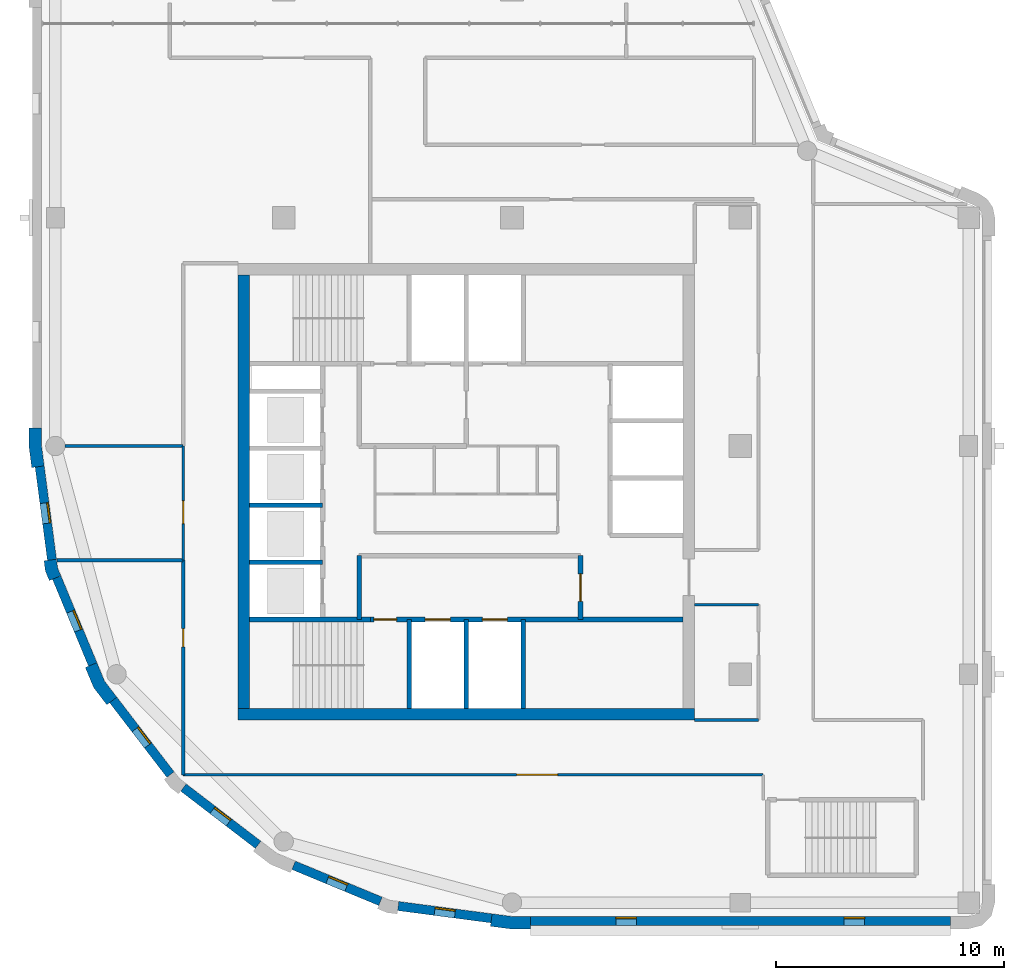
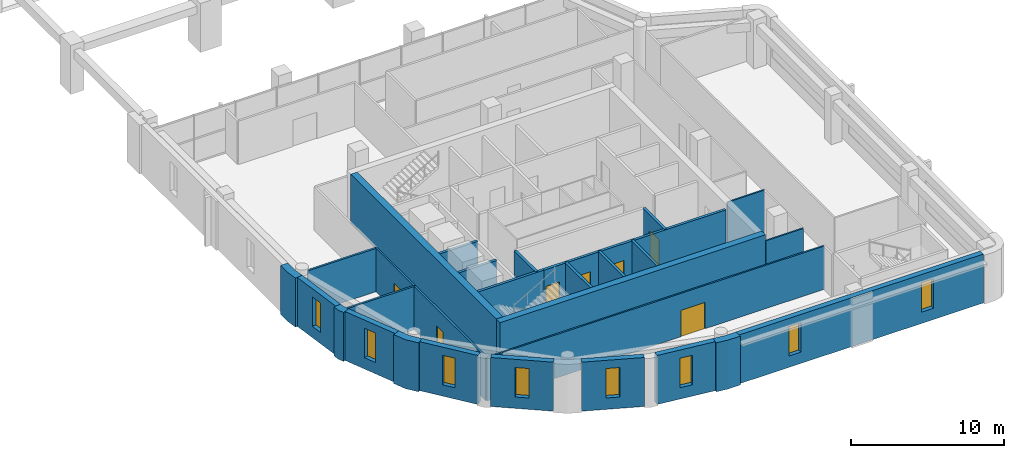
# One storey, part 5 of 11: 29 walls, 8 windows, 7 doors, 15 openings.
"""IFC4 building model written with IfcOpenShell, lengths in metres."""

from ifc_helpers import new_model, si_unit, direction, frame, frame_2d, origin, place, context, subcontext, project, spatial, polyline, rectangle, outline, extrude, material, layer, layer_set, type_object, element, fill, save


model = new_model("IFC4")

# Units and contexts
model_context = context("Model", 3, precision=1e-05, world=origin(), true_north=direction((0.0, 1.0)))
body_context = subcontext(model_context, "Body", "Model", "MODEL_VIEW")
ifc_project = project(units=[si_unit("LENGTHUNIT", "METRE"), si_unit("AREAUNIT", "SQUARE_METRE"), si_unit("VOLUMEUNIT", "CUBIC_METRE"), si_unit("PLANEANGLEUNIT", "RADIAN"), si_unit("MASSUNIT", "GRAM", prefix="KILO")], contexts=[model_context])

# Site, building, storey
site_placement = place(None, origin())
site = spatial("IfcSite", under=ifc_project, at=site_placement, CompositionType="ELEMENT")
building_placement = place(site_placement, origin())
building = spatial("IfcBuilding", under=site, at=building_placement, Name="Qaws Garden Tower", CompositionType="ELEMENT")
storey_placement = place(building_placement, frame((0.0, 0.0, 329.39990234375)))
storey = spatial("IfcBuildingStorey", under=building, at=storey_placement, Name="L80", CompositionType="ELEMENT", Elevation=329.39990234375)

# Wall, openings, windows
ifc_material_1 = material(Name="Clay facing brick masonry", Category="masonry")
ifc_layer_1 = layer(ifc_material_1, 0.39990234375)
ifc_layer_set_1 = layer_set([ifc_layer_1], Name="Clay facing brick masonry")
wall_type_1 = type_object("IfcWallType", Name="Brick infill wall 400", PredefinedType="SOLIDWALL", material=ifc_layer_set_1)
wall_1_placement = place(storey_placement, frame((20.800048828125, -0.800048828125, 0.0), z_axis=(0.0, 0.0, 1.0), x_axis=(1.0, 0.0, 0.0)))
wall_1 = element("IfcWall", 1, at=wall_1_placement, inside=storey, type_object=wall_type_1, Name="E-L80-infill-00", PredefinedType="SOLIDWALL", context=body_context, shape_type="SweptSolid", body=[
    extrude(rectangle(XDim=18.39990234375, YDim=0.39990234375, at=frame_2d((9.199951171875, 0.0))), origin(), (0.0, 0.0, 1.0), 3.900146484375),
])
opening_1_placement = place(wall_1_placement, frame((3.75, 0.0, 0.89990234375)))
opening_1 = element("IfcOpeningElement", 2, at=opening_1_placement, cuts=wall_1, Name="Opening W09", PredefinedType="OPENING", context=body_context, shape_type="SweptSolid", body=[
    extrude(rectangle(XDim=0.89990234375, YDim=2.35009765625, at=frame_2d((0.449951171875, 1.175048828125))), frame((0.0, 0.2099609375, 0.0), z_axis=(0.0, -1.0, 0.0), x_axis=(1.0, 0.0, 0.0)), (0.0, 0.0, 1.0), 0.419921875),
])
opening_2_placement = place(wall_1_placement, frame((13.75, 0.0, 0.89990234375)))
opening_2 = element("IfcOpeningElement", 3, at=opening_2_placement, cuts=wall_1, Name="Opening W09", PredefinedType="OPENING", context=body_context, shape_type="SweptSolid", body=[
    extrude(rectangle(XDim=0.89990234375, YDim=2.35009765625, at=frame_2d((0.449951171875, 1.175048828125))), frame((0.0, 0.2099609375, 0.0), z_axis=(0.0, -1.0, 0.0), x_axis=(1.0, 0.0, 0.0)), (0.0, 0.0, 1.0), 0.419921875),
])
ifc_material_2 = material(Name="Aluminium framed window, clear glazing", Category="aluminium")
window_type = type_object("IfcWindowType", Name="Slit window 900 x 2350", PartitioningType="SINGLE_PANEL", PredefinedType="WINDOW", material=ifc_material_2)
window_1_placement = place(opening_1_placement, origin())
window_1 = element("IfcWindow", 4, at=window_1_placement, inside=storey, type_object=window_type, Name="E-L80-window-00-0", OverallHeight=2.35009765625, OverallWidth=0.89990234375, PartitioningType="SINGLE_PANEL", PredefinedType="WINDOW", context=body_context, shape_type="SweptSolid", body=[
    extrude(rectangle(XDim=0.89990234375, YDim=2.35009765625, at=frame_2d((0.449951171875, 1.175048828125))), frame((0.0, 0.159912109375, 0.0), z_axis=(0.0, -1.0, 0.0), x_axis=(1.0, 0.0, 0.0)), (0.0, 0.0, 1.0), 0.06005859375),
])
fill(opening_1, window_1)
window_2_placement = place(opening_2_placement, origin())
window_2 = element("IfcWindow", 5, at=window_2_placement, inside=storey, type_object=window_type, Name="E-L80-window-01-0", OverallHeight=2.35009765625, OverallWidth=0.89990234375, PartitioningType="SINGLE_PANEL", PredefinedType="WINDOW", context=body_context, shape_type="SweptSolid", body=[
    extrude(rectangle(XDim=0.89990234375, YDim=2.35009765625, at=frame_2d((0.449951171875, 1.175048828125))), frame((0.0, 0.159912109375, 0.0), z_axis=(0.0, -1.0, 0.0), x_axis=(1.0, 0.0, 0.0)), (0.0, 0.0, 1.0), 0.06005859375),
])
fill(opening_2, window_2)

# Wall, opening, window
wall_2_placement = place(storey_placement, frame((-0.688720703125, 19.102294921875, 0.0), z_axis=(0.0, 0.0, 1.0), x_axis=(0.130514280502, -0.991446429508, 0.0)))
wall_2 = element("IfcWall", 6, at=wall_2_placement, inside=storey, type_object=wall_type_1, Name="E-L80-infill-21", PredefinedType="SOLIDWALL", context=body_context, shape_type="SweptSolid", body=[
    extrude(rectangle(XDim=4.120849609375, YDim=0.39990234375, at=frame_2d((2.060546875, 0.0))), origin(), (0.0, 0.0, 1.0), 3.900146484375),
])
opening_3_placement = place(wall_2_placement, frame((1.610595703125, 0.0, 0.89990234375)))
opening_3 = element("IfcOpeningElement", 7, at=opening_3_placement, cuts=wall_2, Name="Opening W09", PredefinedType="OPENING", context=body_context, shape_type="SweptSolid", body=[
    extrude(rectangle(XDim=0.89990234375, YDim=2.35009765625, at=frame_2d((0.449951171875, 1.175048828125))), frame((0.0, 0.2099609375, 0.0), z_axis=(0.0, -1.0, 0.0), x_axis=(1.0, 0.0, 0.0)), (0.0, 0.0, 1.0), 0.419921875),
])
window_3_placement = place(opening_3_placement, origin())
window_3 = element("IfcWindow", 8, at=window_3_placement, inside=storey, type_object=window_type, Name="E-L80-window-21-0", OverallHeight=2.35009765625, OverallWidth=0.89990234375, PartitioningType="SINGLE_PANEL", PredefinedType="WINDOW", context=body_context, shape_type="SweptSolid", body=[
    extrude(rectangle(XDim=0.89990234375, YDim=2.35009765625, at=frame_2d((0.449951171875, 1.175048828125))), frame((0.0, 0.159912109375, 0.0), z_axis=(0.0, -1.0, 0.0), x_axis=(1.0, 0.0, 0.0)), (0.0, 0.0, 1.0), 0.06005859375),
])
fill(opening_3, window_3)

wall_3_placement = place(storey_placement, frame((0.05712890625, 14.240234375, 0.0), z_axis=(0.0, 0.0, 1.0), x_axis=(0.382721546029, -0.923863744394, 0.0)))
wall_3 = element("IfcWall", 9, at=wall_3_placement, inside=storey, type_object=wall_type_1, Name="E-L80-infill-22", PredefinedType="SOLIDWALL", context=body_context, shape_type="SweptSolid", body=[
    extrude(rectangle(XDim=4.120849609375, YDim=0.39990234375, at=frame_2d((2.060546875, 0.0))), origin(), (0.0, 0.0, 1.0), 3.900146484375),
])
opening_4_placement = place(wall_3_placement, frame((1.610595703125, 0.0, 0.89990234375)))
opening_4 = element("IfcOpeningElement", 10, at=opening_4_placement, cuts=wall_3, Name="Opening W09", PredefinedType="OPENING", context=body_context, shape_type="SweptSolid", body=[
    extrude(rectangle(XDim=0.89990234375, YDim=2.35009765625, at=frame_2d((0.449951171875, 1.175048828125))), frame((0.0, 0.2099609375, 0.0), z_axis=(0.0, -1.0, 0.0), x_axis=(1.0, 0.0, 0.0)), (0.0, 0.0, 1.0), 0.419921875),
])
window_4_placement = place(opening_4_placement, origin())
window_4 = element("IfcWindow", 11, at=window_4_placement, inside=storey, type_object=window_type, Name="E-L80-window-22-0", OverallHeight=2.35009765625, OverallWidth=0.89990234375, PartitioningType="SINGLE_PANEL", PredefinedType="WINDOW", context=body_context, shape_type="SweptSolid", body=[
    extrude(rectangle(XDim=0.89990234375, YDim=2.35009765625, at=frame_2d((0.449951171875, 1.175048828125))), frame((0.0, 0.159912109375, 0.0), z_axis=(0.0, -1.0, 0.0), x_axis=(1.0, 0.0, 0.0)), (0.0, 0.0, 1.0), 0.06005859375),
])
fill(opening_4, window_4)

wall_4_placement = place(storey_placement, frame((2.53173828125, 8.87841796875, 0.0), z_axis=(0.0, 0.0, 1.0), x_axis=(0.608759824817, -0.793354571229, 0.0)))
wall_4 = element("IfcWall", 12, at=wall_4_placement, inside=storey, type_object=wall_type_1, Name="E-L80-infill-23", PredefinedType="SOLIDWALL", context=body_context, shape_type="SweptSolid", body=[
    extrude(rectangle(XDim=4.12109375, YDim=0.39990234375, at=frame_2d((2.060546875, 0.0))), origin(), (0.0, 0.0, 1.0), 3.900146484375),
])
opening_5_placement = place(wall_4_placement, frame((1.610595703125, 0.0, 0.89990234375)))
opening_5 = element("IfcOpeningElement", 13, at=opening_5_placement, cuts=wall_4, Name="Opening W09", PredefinedType="OPENING", context=body_context, shape_type="SweptSolid", body=[
    extrude(rectangle(XDim=0.89990234375, YDim=2.35009765625, at=frame_2d((0.449951171875, 1.175048828125))), frame((0.0, 0.2099609375, 0.0), z_axis=(0.0, -1.0, 0.0), x_axis=(1.0, 0.0, 0.0)), (0.0, 0.0, 1.0), 0.419921875),
])
window_5_placement = place(opening_5_placement, origin())
window_5 = element("IfcWindow", 14, at=window_5_placement, inside=storey, type_object=window_type, Name="E-L80-window-23-0", OverallHeight=2.35009765625, OverallWidth=0.89990234375, PartitioningType="SINGLE_PANEL", PredefinedType="WINDOW", context=body_context, shape_type="SweptSolid", body=[
    extrude(rectangle(XDim=0.89990234375, YDim=2.35009765625, at=frame_2d((0.449951171875, 1.175048828125))), frame((0.0, 0.159912109375, 0.0), z_axis=(0.0, -1.0, 0.0), x_axis=(1.0, 0.0, 0.0)), (0.0, 0.0, 1.0), 0.06005859375),
])
fill(opening_5, window_5)

wall_5_placement = place(storey_placement, frame((5.60888671875, 5.04052734375, 0.0), z_axis=(0.0, 0.0, 1.0), x_axis=(0.793354571229, -0.608759824817, 0.0)))
wall_5 = element("IfcWall", 15, at=wall_5_placement, inside=storey, type_object=wall_type_1, Name="E-L80-infill-24", PredefinedType="SOLIDWALL", context=body_context, shape_type="SweptSolid", body=[
    extrude(rectangle(XDim=4.12109375, YDim=0.39990234375, at=frame_2d((2.060546875, 0.0))), origin(), (0.0, 0.0, 1.0), 3.900146484375),
])
opening_6_placement = place(wall_5_placement, frame((1.610595703125, 0.0, 0.89990234375)))
opening_6 = element("IfcOpeningElement", 16, at=opening_6_placement, cuts=wall_5, Name="Opening W09", PredefinedType="OPENING", context=body_context, shape_type="SweptSolid", body=[
    extrude(rectangle(XDim=0.89990234375, YDim=2.35009765625, at=frame_2d((0.449951171875, 1.175048828125))), frame((0.0, 0.2099609375, 0.0), z_axis=(0.0, -1.0, 0.0), x_axis=(1.0, 0.0, 0.0)), (0.0, 0.0, 1.0), 0.419921875),
])
window_6_placement = place(opening_6_placement, origin())
window_6 = element("IfcWindow", 17, at=window_6_placement, inside=storey, type_object=window_type, Name="E-L80-window-24-0", OverallHeight=2.35009765625, OverallWidth=0.89990234375, PartitioningType="SINGLE_PANEL", PredefinedType="WINDOW", context=body_context, shape_type="SweptSolid", body=[
    extrude(rectangle(XDim=0.89990234375, YDim=2.35009765625, at=frame_2d((0.449951171875, 1.175048828125))), frame((0.0, 0.159912109375, 0.0), z_axis=(0.0, -1.0, 0.0), x_axis=(1.0, 0.0, 0.0)), (0.0, 0.0, 1.0), 0.06005859375),
])
fill(opening_6, window_6)

wall_6_placement = place(storey_placement, frame((10.43310546875, 1.63427734375, 0.0), z_axis=(0.0, 0.0, 1.0), x_axis=(0.923863744394, -0.382721546029, 0.0)))
wall_6 = element("IfcWall", 18, at=wall_6_placement, inside=storey, type_object=wall_type_1, Name="E-L80-infill-25", PredefinedType="SOLIDWALL", context=body_context, shape_type="SweptSolid", body=[
    extrude(rectangle(XDim=4.120849609375, YDim=0.39990234375, at=frame_2d((2.060546875, 0.0))), origin(), (0.0, 0.0, 1.0), 3.900146484375),
])
opening_7_placement = place(wall_6_placement, frame((1.610595703125, 0.0, 0.89990234375)))
opening_7 = element("IfcOpeningElement", 19, at=opening_7_placement, cuts=wall_6, Name="Opening W09", PredefinedType="OPENING", context=body_context, shape_type="SweptSolid", body=[
    extrude(rectangle(XDim=0.89990234375, YDim=2.35009765625, at=frame_2d((0.449951171875, 1.175048828125))), frame((0.0, 0.2099609375, 0.0), z_axis=(0.0, -1.0, 0.0), x_axis=(1.0, 0.0, 0.0)), (0.0, 0.0, 1.0), 0.419921875),
])
window_7_placement = place(opening_7_placement, origin())
window_7 = element("IfcWindow", 20, at=window_7_placement, inside=storey, type_object=window_type, Name="E-L80-window-25-0", OverallHeight=2.35009765625, OverallWidth=0.89990234375, PartitioningType="SINGLE_PANEL", PredefinedType="WINDOW", context=body_context, shape_type="SweptSolid", body=[
    extrude(rectangle(XDim=0.89990234375, YDim=2.35009765625, at=frame_2d((0.449951171875, 1.175048828125))), frame((0.0, 0.159912109375, 0.0), z_axis=(0.0, -1.0, 0.0), x_axis=(1.0, 0.0, 0.0)), (0.0, 0.0, 1.0), 0.06005859375),
])
fill(opening_7, window_7)

wall_7_placement = place(storey_placement, frame((15.0166015625, -0.15087890625, 0.0), z_axis=(0.0, 0.0, 1.0), x_axis=(0.991446429508, -0.130514280502, 0.0)))
wall_7 = element("IfcWall", 21, at=wall_7_placement, inside=storey, type_object=wall_type_1, Name="E-L80-infill-26", PredefinedType="SOLIDWALL", context=body_context, shape_type="SweptSolid", body=[
    extrude(rectangle(XDim=4.120849609375, YDim=0.39990234375, at=frame_2d((2.060546875, 0.0))), origin(), (0.0, 0.0, 1.0), 3.900146484375),
])
opening_8_placement = place(wall_7_placement, frame((1.610595703125, 0.0, 0.89990234375)))
opening_8 = element("IfcOpeningElement", 22, at=opening_8_placement, cuts=wall_7, Name="Opening W09", PredefinedType="OPENING", context=body_context, shape_type="SweptSolid", body=[
    extrude(rectangle(XDim=0.89990234375, YDim=2.35009765625, at=frame_2d((0.449951171875, 1.175048828125))), frame((0.0, 0.2099609375, 0.0), z_axis=(0.0, -1.0, 0.0), x_axis=(1.0, 0.0, 0.0)), (0.0, 0.0, 1.0), 0.419921875),
])
window_8_placement = place(opening_8_placement, origin())
window_8 = element("IfcWindow", 23, at=window_8_placement, inside=storey, type_object=window_type, Name="E-L80-window-26-0", OverallHeight=2.35009765625, OverallWidth=0.89990234375, PartitioningType="SINGLE_PANEL", PredefinedType="WINDOW", context=body_context, shape_type="SweptSolid", body=[
    extrude(rectangle(XDim=0.89990234375, YDim=2.35009765625, at=frame_2d((0.449951171875, 1.175048828125))), frame((0.0, 0.159912109375, 0.0), z_axis=(0.0, -1.0, 0.0), x_axis=(1.0, 0.0, 0.0)), (0.0, 0.0, 1.0), 0.06005859375),
])
fill(opening_8, window_8)

# Walls
ifc_material_3 = material(Name="Clay facing brick masonry", Category="masonry")
ifc_layer_2 = layer(ifc_material_3, 0.550048828125)
ifc_layer_set_2 = layer_set([ifc_layer_2], Name="Clay facing brick masonry")
wall_type_2 = type_object("IfcWallType", Name="Brick kink pier 550 x 600", PredefinedType="SOLIDWALL", material=ifc_layer_set_2)
placement = place(storey_placement, origin())
element("IfcWall", 24, at=placement, inside=storey, type_object=wall_type_2, Name="E-L80-pier-22", PredefinedType="SOLIDWALL", context=body_context, shape_type="SweptSolid", body=[
    extrude(outline(polyline([(-0.34912109375, 14.990478515625), (-0.497802734375, 14.970947265625), (-0.43896484375, 14.5234375), (-0.26611328125, 14.1064453125), (-0.127685546875, 14.163818359375), (0.241943359375, 14.31689453125), (0.096923828125, 14.6669921875), (0.04736328125, 15.042724609375), (-0.34912109375, 14.990478515625)])), origin(), (0.0, 0.0, 1.0), 3.900146484375),
])
ifc_material_4 = material(Name="Clay facing brick masonry", Category="masonry")
ifc_layer_3 = layer(ifc_material_4, 0.550048828125)
ifc_layer_set_3 = layer_set([ifc_layer_3], Name="Clay facing brick masonry")
wall_type_3 = type_object("IfcWallType", Name="Brick pier 550 x 1600", PredefinedType="SOLIDWALL", material=ifc_layer_set_3)
element("IfcWall", 25, at=placement, inside=storey, type_object=wall_type_3, Name="E-L80-pier-00", PredefinedType="SOLIDWALL", context=body_context, shape_type="SweptSolid", body=[
    extrude(outline(polyline([(19.076416015625, -0.886962890625), (19.056640625, -1.03564453125), (19.924560546875, -1.14990234375), (20.800048828125, -1.14990234375), (20.800048828125, -1.0), (20.800048828125, -0.60009765625), (19.960693359375, -0.60009765625), (19.12841796875, -0.490478515625), (19.076416015625, -0.886962890625)])), origin(), (0.0, 0.0, 1.0), 3.900146484375),
])
element("IfcWall", 26, at=placement, inside=storey, type_object=wall_type_3, Name="E-L80-pier-21", PredefinedType="SOLIDWALL", context=body_context, shape_type="SweptSolid", body=[
    extrude(outline(polyline([(-1.0, 20.800048828125), (-1.14990234375, 20.800048828125), (-1.14990234375, 19.924560546875), (-1.03564453125, 19.056640625), (-0.886962890625, 19.076416015625), (-0.490478515625, 19.12841796875), (-0.60009765625, 19.960693359375), (-0.60009765625, 20.800048828125), (-1.0, 20.800048828125)])), origin(), (0.0, 0.0, 1.0), 3.900146484375),
])
element("IfcWall", 27, at=placement, inside=storey, type_object=wall_type_3, Name="E-L80-pier-23", PredefinedType="SOLIDWALL", context=body_context, shape_type="SweptSolid", body=[
    extrude(outline(polyline([(1.449462890625, 10.3564453125), (1.310791015625, 10.299072265625), (1.675048828125, 9.419921875), (2.254150390625, 8.665283203125), (2.373046875, 8.756591796875), (2.6904296875, 9.0), (2.1552734375, 9.697509765625), (1.819091796875, 10.509521484375), (1.449462890625, 10.3564453125)])), origin(), (0.0, 0.0, 1.0), 3.900146484375),
])
ifc_material_5 = material(Name="Concrete C60", Category="concrete")
ifc_layer_4 = layer(ifc_material_5, 0.199951171875)
ifc_layer_set_4 = layer_set([ifc_layer_4], Name="Concrete C60")
wall_type_4 = type_object("IfcWallType", Name="Core shaft wall 200 C60", PredefinedType="SHEAR", material=ifc_layer_set_4)
wall_12_placement = place(storey_placement, frame((8.5, 12.39990234375, 0.0), z_axis=(0.0, 0.0, 1.0), x_axis=(1.0, 0.0, 0.0)))
element("IfcWall", 28, at=wall_12_placement, inside=storey, type_object=wall_type_4, Name="Shaft wall", PredefinedType="SHEAR", context=body_context, shape_type="SweptSolid", body=[
    extrude(rectangle(XDim=5.300048828125, YDim=0.199951171875, at=frame_2d((2.64990234375, 0.0))), origin(), (0.0, 0.0, 1.0), 3.4501953125),
])

# Wall, openings, doors
wall_13_placement = place(storey_placement, frame((13.800048828125, 12.39990234375, 0.0), z_axis=(0.0, 0.0, 1.0), x_axis=(1.0, 0.0, 0.0)))
wall_13 = element("IfcWall", 29, at=wall_13_placement, inside=storey, type_object=wall_type_4, Name="Shaft wall", PredefinedType="SHEAR", context=body_context, shape_type="SweptSolid", body=[
    extrude(rectangle(XDim=13.699951171875, YDim=0.199951171875, at=frame_2d((6.85009765625, 0.0))), origin(), (0.0, 0.0, 1.0), 3.4501953125),
])
opening_9_placement = place(wall_13_placement, frame((2.39990234375, 0.0, 0.0)))
opening_9 = element("IfcOpeningElement", 30, at=opening_9_placement, cuts=wall_13, Name="Opening LD06", PredefinedType="OPENING", context=body_context, shape_type="SweptSolid", body=[
    extrude(rectangle(XDim=1.10009765625, YDim=2.10009765625, at=frame_2d((0.550048828125, 1.050048828125))), frame((0.0, 0.10986328125, 0.0), z_axis=(0.0, -1.0, 0.0), x_axis=(1.0, 0.0, 0.0)), (0.0, 0.0, 1.0), 0.219970703125),
])
opening_10_placement = place(wall_13_placement, frame((4.89990234375, 0.0, 0.0)))
opening_10 = element("IfcOpeningElement", 31, at=opening_10_placement, cuts=wall_13, Name="Opening LD07", PredefinedType="OPENING", context=body_context, shape_type="SweptSolid", body=[
    extrude(rectangle(XDim=1.10009765625, YDim=2.10009765625, at=frame_2d((0.550048828125, 1.050048828125))), frame((0.0, 0.10986328125, 0.0), z_axis=(0.0, -1.0, 0.0), x_axis=(1.0, 0.0, 0.0)), (0.0, 0.0, 1.0), 0.219970703125),
])
opening_11_placement = place(wall_13_placement, frame((0.14990234375, 0.0, 0.0)))
opening_11 = element("IfcOpeningElement", 32, at=opening_11_placement, cuts=wall_13, Name="Opening SD10", PredefinedType="OPENING", context=body_context, shape_type="SweptSolid", body=[
    extrude(rectangle(XDim=1.0, YDim=2.10009765625, at=frame_2d((0.5, 1.050048828125))), frame((0.0, 0.10986328125, 0.0), z_axis=(0.0, -1.0, 0.0), x_axis=(1.0, 0.0, 0.0)), (0.0, 0.0, 1.0), 0.219970703125),
])
ifc_material_6 = material(Name="Steel S235", Category="steel")
door_type_1 = type_object("IfcDoorType", Name="Landing door 1100x2100", OperationType="DOUBLE_DOOR_SLIDING", PredefinedType="DOOR", material=ifc_material_6)
door_1_placement = place(opening_9_placement, origin())
door_1 = element("IfcDoor", 33, at=door_1_placement, inside=storey, type_object=door_type_1, Name="Lift FF1 landing door", OperationType="DOUBLE_DOOR_SLIDING", OverallHeight=2.10009765625, OverallWidth=1.10009765625, PredefinedType="DOOR", context=body_context, shape_type="SweptSolid", body=[
    extrude(rectangle(XDim=1.10009765625, YDim=2.10009765625, at=frame_2d((0.550048828125, 1.050048828125))), frame((0.0, 0.02490234375, 0.0), z_axis=(0.0, -1.0, 0.0), x_axis=(1.0, 0.0, 0.0)), (0.0, 0.0, 1.0), 0.050048828125),
])
fill(opening_9, door_1)
door_2_placement = place(opening_10_placement, origin())
door_2 = element("IfcDoor", 34, at=door_2_placement, inside=storey, type_object=door_type_1, Name="Lift FF2 landing door", OperationType="DOUBLE_DOOR_SLIDING", OverallHeight=2.10009765625, OverallWidth=1.10009765625, PredefinedType="DOOR", context=body_context, shape_type="SweptSolid", body=[
    extrude(rectangle(XDim=1.10009765625, YDim=2.10009765625, at=frame_2d((0.550048828125, 1.050048828125))), frame((0.0, 0.02490234375, 0.0), z_axis=(0.0, -1.0, 0.0), x_axis=(1.0, 0.0, 0.0)), (0.0, 0.0, 1.0), 0.050048828125),
])
fill(opening_10, door_2)
ifc_material_7 = material(Name="Steel S235", Category="steel")
door_type_2 = type_object("IfcDoorType", Name="Stair door 1000x2100", OperationType="SINGLE_SWING_RIGHT", PredefinedType="DOOR", material=ifc_material_7)
door_3_placement = place(opening_11_placement, frame((1.0, 0.0, 0.0), z_axis=(0.0, 0.0, 1.0), x_axis=(-1.0, 0.0, 0.0)))
door_3 = element("IfcDoor", 35, at=door_3_placement, inside=storey, type_object=door_type_2, Name="Stair 1 door", OperationType="SINGLE_SWING_LEFT", OverallHeight=2.10009765625, OverallWidth=1.0, PredefinedType="DOOR", context=body_context, shape_type="SweptSolid", body=[
    extrude(rectangle(XDim=1.0, YDim=2.10009765625, at=frame_2d((0.5, 1.050048828125))), frame((0.0, 0.02490234375, 0.0), z_axis=(0.0, -1.0, 0.0), x_axis=(1.0, 0.0, 0.0)), (0.0, 0.0, 1.0), 0.050048828125),
])
fill(opening_11, door_3)

# Walls
for number, where, z_axis, x_axis, name in (
    (36, (8.5, 14.89990234375, 0.0), (0.0, 0.0, 1.0), (1.0, 0.0, 0.0), "Shaft wall"),
    (37, (8.5, 17.39990234375, 0.0), (0.0, 0.0, 1.0), (1.0, 0.0, 0.0), "Shaft wall"),
):
    element("IfcWall", number, at=place(storey_placement, frame(where, z_axis=z_axis, x_axis=x_axis)), inside=storey, type_object=wall_type_4, Name=name, PredefinedType="SHEAR", context=body_context, shape_type="SweptSolid", body=[
        extrude(rectangle(XDim=3.199951171875, YDim=0.199951171875, at=frame_2d((1.60009765625, 0.0))), origin(), (0.0, 0.0, 1.0), 3.4501953125),
    ])
wall_14_placement = place(storey_placement, frame((13.300048828125, 12.39990234375, 0.0), z_axis=(0.0, 0.0, 1.0), x_axis=(0.0, 1.0, 0.0)))
element("IfcWall", 38, at=wall_14_placement, inside=storey, type_object=wall_type_4, Name="Shaft wall", PredefinedType="SHEAR", context=body_context, shape_type="SweptSolid", body=[
    extrude(rectangle(XDim=2.800048828125, YDim=0.199951171875, at=frame_2d((1.39990234375, 0.0))), origin(), (0.0, 0.0, 1.0), 3.4501953125),
])
for number, where, z_axis, x_axis, name in (
    (39, (15.5, 8.5, 0.0), (0.0, 0.0, 1.0), (0.0, 1.0, 0.0), "Shaft wall"),
    (40, (18.0, 8.5, 0.0), (0.0, 0.0, 1.0), (0.0, 1.0, 0.0), "Shaft wall"),
    (41, (20.5, 8.5, 0.0), (0.0, 0.0, 1.0), (0.0, 1.0, 0.0), "Shaft wall"),
):
    element("IfcWall", number, at=place(storey_placement, frame(where, z_axis=z_axis, x_axis=x_axis)), inside=storey, type_object=wall_type_4, Name=name, PredefinedType="SHEAR", context=body_context, shape_type="SweptSolid", body=[
        extrude(rectangle(XDim=3.89990234375, YDim=0.199951171875, at=frame_2d((1.949951171875, 0.0))), origin(), (0.0, 0.0, 1.0), 3.4501953125),
    ])

# Wall, opening, door
wall_15_placement = place(storey_placement, frame((23.0, 12.39990234375, 0.0), z_axis=(0.0, 0.0, 1.0), x_axis=(0.0, 1.0, 0.0)))
wall_15 = element("IfcWall", 42, at=wall_15_placement, inside=storey, type_object=wall_type_4, Name="Shaft wall", PredefinedType="SHEAR", context=body_context, shape_type="SweptSolid", body=[
    extrude(rectangle(XDim=2.800048828125, YDim=0.199951171875, at=frame_2d((1.39990234375, 0.0))), origin(), (0.0, 0.0, 1.0), 3.4501953125),
])
opening_12_placement = place(wall_15_placement, frame((0.800048828125, 0.0, 0.0)))
opening_12 = element("IfcOpeningElement", 43, at=opening_12_placement, cuts=wall_15, Name="Opening FD15", PredefinedType="OPENING", context=body_context, shape_type="SweptSolid", body=[
    extrude(rectangle(XDim=1.199951171875, YDim=2.10009765625, at=frame_2d((0.60009765625, 1.050048828125))), frame((0.0, 0.10986328125, 0.0), z_axis=(0.0, -1.0, 0.0), x_axis=(1.0, 0.0, 0.0)), (0.0, 0.0, 1.0), 0.219970703125),
])
ifc_material_8 = material(Name="Steel S235", Category="steel")
door_type_3 = type_object("IfcDoorType", Name="Lobby door 1200x2100", OperationType="DOUBLE_DOOR_SINGLE_SWING", PredefinedType="DOOR", material=ifc_material_8)
door_4_placement = place(opening_12_placement, origin())
door_4 = element("IfcDoor", 44, at=door_4_placement, inside=storey, type_object=door_type_3, Name="Fire-fighting lobby door", OperationType="DOUBLE_DOOR_SINGLE_SWING", OverallHeight=2.10009765625, OverallWidth=1.199951171875, PredefinedType="DOOR", context=body_context, shape_type="SweptSolid", body=[
    extrude(rectangle(XDim=1.199951171875, YDim=2.10009765625, at=frame_2d((0.60009765625, 1.050048828125))), frame((0.0, 0.02490234375, 0.0), z_axis=(0.0, -1.0, 0.0), x_axis=(1.0, 0.0, 0.0)), (0.0, 0.0, 1.0), 0.050048828125),
])
fill(opening_12, door_4)

# Walls
ifc_material_9 = material(Name="Concrete C60", Category="concrete")
ifc_layer_5 = layer(ifc_material_9, 0.5)
ifc_layer_set_5 = layer_set([ifc_layer_5], Name="Concrete C60")
wall_type_5 = type_object("IfcWallType", Name="Core wall 500 C60", PredefinedType="SHEAR", material=ifc_layer_set_5)
wall_16_placement = place(storey_placement, frame((8.0, 8.25, 0.0), z_axis=(0.0, 0.0, 1.0), x_axis=(1.0, 0.0, 0.0)))
element("IfcWall", 45, at=wall_16_placement, inside=storey, type_object=wall_type_5, Name="Core wall L80 south", PredefinedType="SHEAR", context=body_context, shape_type="SweptSolid", body=[
    extrude(rectangle(XDim=20.0, YDim=0.5, at=frame_2d((10.0, 0.0))), origin(), (0.0, 0.0, 1.0), 3.900146484375),
])
wall_17_placement = place(storey_placement, frame((8.25, 27.5, 0.0), z_axis=(0.0, 0.0, 1.0), x_axis=(0.0, -1.0, 0.0)))
element("IfcWall", 46, at=wall_17_placement, inside=storey, type_object=wall_type_5, Name="Core wall L80 west", PredefinedType="SHEAR", context=body_context, shape_type="SweptSolid", body=[
    extrude(rectangle(XDim=19.0, YDim=0.5, at=frame_2d((9.5, 0.0))), origin(), (0.0, 0.0, 1.0), 3.900146484375),
])

# Wall, opening, door
ifc_material_10 = material(Name="Glass and aluminium framing", Category="aluminium")
ifc_layer_6 = layer(ifc_material_10, 0.1201171875)
ifc_layer_set_6 = layer_set([ifc_layer_6], Name="Glass and aluminium framing")
wall_type_6 = type_object("IfcWallType", Name="GLAZED PARTITION 120 EI 30", PredefinedType="PARTITIONING", material=ifc_layer_set_6)
wall_18_placement = place(storey_placement, frame((5.60009765625, 15.0, 0.0), z_axis=(0.0, 0.0, 1.0), x_axis=(0.0, 1.0, 0.0)))
wall_18 = element("IfcWall", 47, at=wall_18_placement, inside=storey, type_object=wall_type_6, Name="O-L80-wall-019", PredefinedType="PARTITIONING", context=body_context, shape_type="SweptSolid", body=[
    extrude(rectangle(XDim=5.0, YDim=0.1201171875, at=frame_2d((2.5, 0.0))), origin(), (0.0, 0.0, 1.0), 3.4501953125),
])
opening_13_placement = place(wall_18_placement, frame((1.60009765625, 0.0, 0.0)))
opening_13 = element("IfcOpeningElement", 48, at=opening_13_placement, cuts=wall_18, Name="Opening C8B02", PredefinedType="OPENING", context=body_context, shape_type="SweptSolid", body=[
    extrude(rectangle(XDim=1.0, YDim=2.10009765625, at=frame_2d((0.5, 1.050048828125))), frame((0.0, 0.070068359375, 0.0), z_axis=(0.0, -1.0, 0.0), x_axis=(1.0, 0.0, 0.0)), (0.0, 0.0, 1.0), 0.14013671875),
])
ifc_material_11 = material(Name="Timber door leaf", Category="wood")
door_type_4 = type_object("IfcDoorType", Name="TENANCY ENTRANCE DOOR 1000 X 2100", OperationType="SINGLE_SWING_LEFT", PredefinedType="DOOR", material=ifc_material_11)
door_5_placement = place(opening_13_placement, origin())
door_5 = element("IfcDoor", 49, at=door_5_placement, inside=storey, type_object=door_type_4, Name="O-L80-door-002", OperationType="SINGLE_SWING_RIGHT", OverallHeight=2.10009765625, OverallWidth=1.0, PredefinedType="DOOR", context=body_context, shape_type="SweptSolid", body=[
    extrude(rectangle(XDim=1.0, YDim=2.10009765625, at=frame_2d((0.5, 1.050048828125))), frame((0.0, 0.02490234375, 0.0), z_axis=(0.0, -1.0, 0.0), x_axis=(1.0, 0.0, 0.0)), (0.0, 0.0, 1.0), 0.050048828125),
])
fill(opening_13, door_5)

wall_19_placement = place(storey_placement, frame((5.60009765625, 5.60009765625, 0.0), z_axis=(0.0, 0.0, 1.0), x_axis=(1.0, 0.0, 0.0)))
wall_19 = element("IfcWall", 50, at=wall_19_placement, inside=storey, type_object=wall_type_6, Name="O-L80-wall-027", PredefinedType="PARTITIONING", context=body_context, shape_type="SweptSolid", body=[
    extrude(rectangle(XDim=25.39990234375, YDim=0.1201171875, at=frame_2d((12.699951171875, 0.0))), origin(), (0.0, 0.0, 1.0), 3.4501953125),
])
opening_14_placement = place(wall_19_placement, frame((14.60009765625, 0.0, 0.0)))
opening_14 = element("IfcOpeningElement", 51, at=opening_14_placement, cuts=wall_19, Name="Opening C8B03", PredefinedType="OPENING", context=body_context, shape_type="SweptSolid", body=[
    extrude(rectangle(XDim=1.800048828125, YDim=2.10009765625, at=frame_2d((0.89990234375, 1.050048828125))), frame((0.0, 0.070068359375, 0.0), z_axis=(0.0, -1.0, 0.0), x_axis=(1.0, 0.0, 0.0)), (0.0, 0.0, 1.0), 0.14013671875),
])
ifc_material_12 = material(Name="Timber door leaf", Category="wood")
door_type_5 = type_object("IfcDoorType", Name="DOUBLE DOOR 1800 X 2100", OperationType="DOUBLE_DOOR_SINGLE_SWING", PredefinedType="DOOR", material=ifc_material_12)
door_6_placement = place(opening_14_placement, frame((1.800048828125, 0.0, 0.0), z_axis=(0.0, 0.0, 1.0), x_axis=(-1.0, 0.0, 0.0)))
door_6 = element("IfcDoor", 52, at=door_6_placement, inside=storey, type_object=door_type_5, Name="O-L80-door-003", OperationType="DOUBLE_DOOR_SINGLE_SWING", OverallHeight=2.10009765625, OverallWidth=1.800048828125, PredefinedType="DOOR", context=body_context, shape_type="SweptSolid", body=[
    extrude(rectangle(XDim=1.800048828125, YDim=2.10009765625, at=frame_2d((0.89990234375, 1.050048828125))), frame((0.0, 0.02490234375, 0.0), z_axis=(0.0, -1.0, 0.0), x_axis=(1.0, 0.0, 0.0)), (0.0, 0.0, 1.0), 0.050048828125),
])
fill(opening_14, door_6)

# Walls
for number, where, z_axis, x_axis, name in (
    (53, (28.0, 8.0, 0.0), (0.0, 0.0, 1.0), (1.0, 0.0, 0.0), "O-L80-wall-028"),
    (54, (28.0, 13.050048828125, 0.0), (0.0, 0.0, 1.0), (1.0, 0.0, 0.0), "O-L80-wall-030"),
):
    element("IfcWall", number, at=place(storey_placement, frame(where, z_axis=z_axis, x_axis=x_axis)), inside=storey, type_object=wall_type_6, Name=name, PredefinedType="PARTITIONING", context=body_context, shape_type="SweptSolid", body=[
        extrude(rectangle(XDim=2.800048828125, YDim=0.1201171875, at=frame_2d((1.39990234375, 0.0))), origin(), (0.0, 0.0, 1.0), 3.4501953125),
    ])

# Wall, opening, door
ifc_material_13 = material(Name="Gypsum board partition")
ifc_layer_7 = layer(ifc_material_13, 0.14990234375)
ifc_layer_set_7 = layer_set([ifc_layer_7], Name="Gypsum board partition")
wall_type_7 = type_object("IfcWallType", Name="PARTITION 150 EI 60", PredefinedType="PARTITIONING", material=ifc_layer_set_7)
wall_20_placement = place(storey_placement, frame((5.60009765625, 5.60009765625, 0.0), z_axis=(0.0, 0.0, 1.0), x_axis=(0.0, 1.0, 0.0)))
wall_20 = element("IfcWall", 55, at=wall_20_placement, inside=storey, type_object=wall_type_7, Name="O-L80-wall-002", PredefinedType="PARTITIONING", context=body_context, shape_type="SweptSolid", body=[
    extrude(rectangle(XDim=9.39990234375, YDim=0.14990234375, at=frame_2d((4.699951171875, 0.0))), origin(), (0.0, 0.0, 1.0), 3.4501953125),
])
opening_15_placement = place(wall_20_placement, frame((5.60009765625, 0.0, 0.0)))
opening_15 = element("IfcOpeningElement", 56, at=opening_15_placement, cuts=wall_20, Name="Opening C8B01", PredefinedType="OPENING", context=body_context, shape_type="SweptSolid", body=[
    extrude(rectangle(XDim=0.800048828125, YDim=2.10009765625, at=frame_2d((0.39990234375, 1.050048828125))), frame((0.0, 0.0849609375, 0.0), z_axis=(0.0, -1.0, 0.0), x_axis=(1.0, 0.0, 0.0)), (0.0, 0.0, 1.0), 0.169921875),
])
ifc_material_14 = material(Name="Timber door leaf", Category="wood")
door_type_6 = type_object("IfcDoorType", Name="STORE DOOR 800 X 2100", OperationType="SINGLE_SWING_LEFT", PredefinedType="DOOR", material=ifc_material_14)
door_7_placement = place(opening_15_placement, origin())
door_7 = element("IfcDoor", 57, at=door_7_placement, inside=storey, type_object=door_type_6, Name="O-L80-door-001", OperationType="SINGLE_SWING_RIGHT", OverallHeight=2.10009765625, OverallWidth=0.800048828125, PredefinedType="DOOR", context=body_context, shape_type="SweptSolid", body=[
    extrude(rectangle(XDim=0.800048828125, YDim=2.10009765625, at=frame_2d((0.39990234375, 1.050048828125))), frame((0.0, 0.02490234375, 0.0), z_axis=(0.0, -1.0, 0.0), x_axis=(1.0, 0.0, 0.0)), (0.0, 0.0, 1.0), 0.050048828125),
])
fill(opening_15, door_7)

# Walls
wall_21_placement = place(storey_placement, frame((0.06298828125, 15.0, 0.0), z_axis=(0.0, 0.0, 1.0), x_axis=(1.0, 0.0, 0.0)))
element("IfcWall", 58, at=wall_21_placement, inside=storey, type_object=wall_type_7, Name="O-L80-wall-010", PredefinedType="PARTITIONING", context=body_context, shape_type="SweptSolid", body=[
    extrude(rectangle(XDim=5.537109375, YDim=0.14990234375, at=frame_2d((2.7685546875, 0.0))), origin(), (0.0, 0.0, 1.0), 3.4501953125),
])
wall_22_placement = place(storey_placement, frame((0.425048828125, 20.0, 0.0), z_axis=(0.0, 0.0, 1.0), x_axis=(1.0, 0.0, 0.0)))
element("IfcWall", 59, at=wall_22_placement, inside=storey, type_object=wall_type_7, Name="O-L80-wall-011", PredefinedType="PARTITIONING", context=body_context, shape_type="SweptSolid", body=[
    extrude(rectangle(XDim=5.175048828125, YDim=0.14990234375, at=frame_2d((2.58740234375, 0.0))), origin(), (0.0, 0.0, 1.0), 3.4501953125),
])

save(model, "model.ifc")
